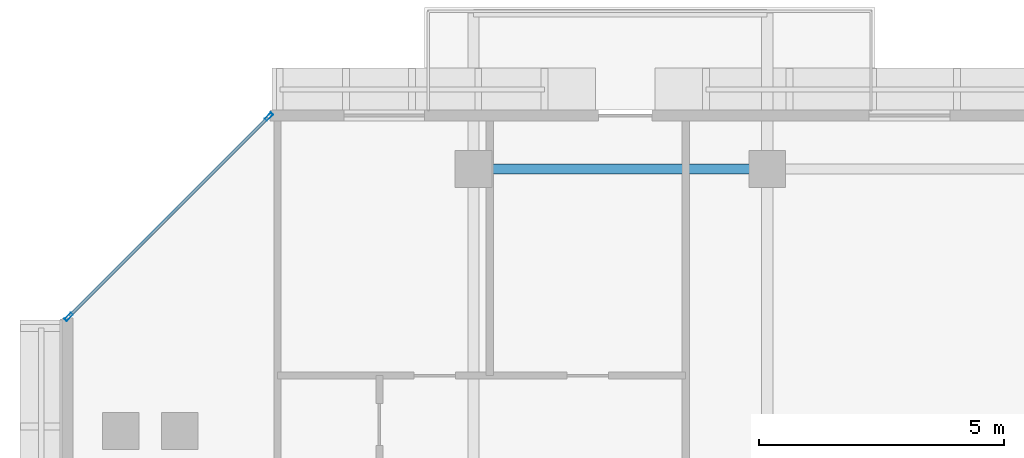
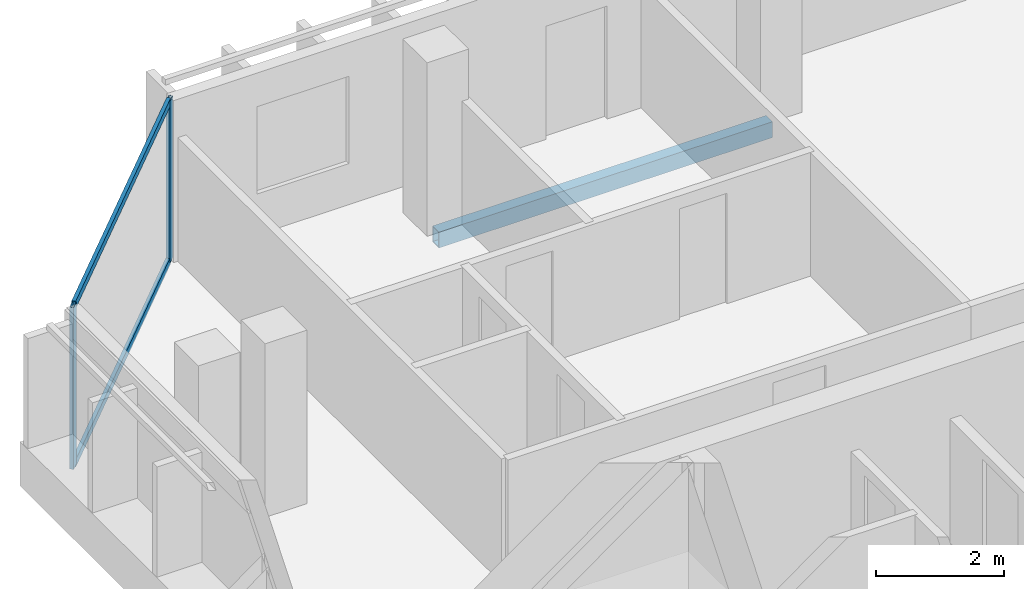
# One storey, part 6 of 25: 4 members, 1 beam, 1 element without a shape of its own.
"""IFC4 building model written with IfcOpenShell, lengths in metres."""

from ifc_helpers import new_model, si_unit, direction, frame, origin, origin_2d, place, context, subcontext, project, spatial, hollow_rectangle, extrude, material, layer, layer_set, material_profile, profile_set, type_object, element, aggregate, save


model = new_model("IFC4")

# Units and contexts
model_context = context("Model", 3, precision=1e-05, world=origin(), true_north=direction((0.0, 1.0)))
body_context = subcontext(model_context, "Body", "Model", "MODEL_VIEW")
ifc_project = project(units=[si_unit("LENGTHUNIT", "METRE"), si_unit("AREAUNIT", "SQUARE_METRE"), si_unit("VOLUMEUNIT", "CUBIC_METRE"), si_unit("PLANEANGLEUNIT", "RADIAN"), si_unit("MASSUNIT", "GRAM", prefix="KILO")], contexts=[model_context])

# Site, building, storey
site_placement = place(None, origin())
site = spatial("IfcSite", under=ifc_project, at=site_placement, CompositionType="ELEMENT")
building_placement = place(site_placement, origin())
building = spatial("IfcBuilding", under=site, at=building_placement, Name="Tanjung Sevakor Pilgrim Tower", CompositionType="ELEMENT")
storey_placement = place(building_placement, frame((0.0, 0.0, 204.929931640625)))
storey = spatial("IfcBuildingStorey", under=building, at=storey_placement, Name="L57", CompositionType="ELEMENT", Elevation=204.929931640625)

# Beam
ifc_material_1 = material(Name="Steel S355J2", Category="steel")
ifc_material_profile_1 = material_profile(ifc_material_1, hollow_rectangle(XDim=0.199951171875, YDim=0.300048828125, WallThickness=0.012451171875, at=origin_2d()))
ifc_profile_set_1 = profile_set([ifc_material_profile_1], Name="Steel S355J2")
beam_type = type_object("IfcBeamType", Name="BM-B-SP3-RHS_300x200x12.5", PredefinedType="SPANDREL", material=ifc_profile_set_1)
beam_placement = place(storey_placement, frame((30.0, 53.949951171875, -0.369873046875), z_axis=(1.0, 0.0, 0.0), x_axis=(0.0, 1.0, 0.0)))
element("IfcBeam", 1, at=beam_placement, inside=storey, type_object=beam_type, Name="L57 Spandrel MAIN N-02", PredefinedType="SPANDREL", context=body_context, shape_type="SweptSolid", body=[
    extrude(hollow_rectangle(XDim=0.199951171875, YDim=0.300048828125, WallThickness=0.012451171875, at=origin_2d()), origin(), (0.0, 0.0, 1.0), 6.0),
])

# Curtain wall, members
ifc_material_2 = material(Name="Aluminium 6063-T6 and Low-E Glass", Category="aluminium")
ifc_layer = layer(ifc_material_2, 0.179931640625)
ifc_layer_set = layer_set([ifc_layer], Name="CW-SYS-CHAM")
curtain_wall_type = type_object("IfcCurtainWallType", Name="CW-SYS-CHAM", PredefinedType="NOTDEFINED", material=ifc_layer_set)
curtain_wall_placement = place(storey_placement, origin())
curtain_wall = element("IfcCurtainWall", 2, at=curtain_wall_placement, inside=storey, type_object=curtain_wall_type, Name="L57 Curtain Wall CW-CHM-L57-MAIN-13", PredefinedType="NOTDEFINED")
ifc_material_3 = material(Name="Aluminium 6063-T6", Category="aluminium")
ifc_material_profile_2 = material_profile(ifc_material_3, hollow_rectangle(XDim=0.06494140625, YDim=0.179931640625, WallThickness=0.00390625, at=origin_2d()))
ifc_profile_set_2 = profile_set([ifc_material_profile_2], Name="Aluminium 6063-T6")
member_type_1 = type_object("IfcMemberType", Name="TYPE-CWM-1", PredefinedType="MULLION", material=ifc_profile_set_2)
member_1_placement = place(storey_placement, frame((25.822509765625, 55.01708984375, 0.0), z_axis=(0.0, 0.0, 1.0), x_axis=(0.707106781187, -0.707106781187, 0.0)))
member_1 = element("IfcMember", 3, at=member_1_placement, type_object=member_type_1, Name="CW-CHM mullion 1", PredefinedType="MULLION", context=body_context, shape_type="SweptSolid", body=[
    extrude(hollow_rectangle(XDim=0.06494140625, YDim=0.179931640625, WallThickness=0.00390625, at=origin_2d()), origin(), (0.0, 0.0, 1.0), 3.080078125),
])
member_2_placement = place(storey_placement, frame((21.73291015625, 50.927490234375, 0.0), z_axis=(0.0, 0.0, 1.0), x_axis=(0.707106781187, -0.707106781187, 0.0)))
member_2 = element("IfcMember", 4, at=member_2_placement, type_object=member_type_1, Name="CW-CHM mullion 2", PredefinedType="MULLION", context=body_context, shape_type="SweptSolid", body=[
    extrude(hollow_rectangle(XDim=0.06494140625, YDim=0.179931640625, WallThickness=0.00390625, at=origin_2d()), origin(), (0.0, 0.0, 1.0), 3.080078125),
])
ifc_material_4 = material(Name="Aluminium 6063-T6", Category="aluminium")
ifc_material_profile_3 = material_profile(ifc_material_4, hollow_rectangle(XDim=0.06494140625, YDim=0.139892578125, WallThickness=0.00390625, at=origin_2d()))
ifc_profile_set_3 = profile_set([ifc_material_profile_3], Name="Aluminium 6063-T6")
member_type_2 = type_object("IfcMemberType", Name="TYPE-CWT-1", PredefinedType="USERDEFINED", material=ifc_profile_set_3)
member_3_placement = place(storey_placement, frame((25.799560546875, 54.994140625, 0.032470703125), z_axis=(-0.707106781187, -0.707106781187, 0.0), x_axis=(0.707106781187, -0.707106781187, 0.0)))
member_3 = element("IfcMember", 5, at=member_3_placement, type_object=member_type_2, Name="CW-CHM transom 1.1", ObjectType="TRANSOM", PredefinedType="USERDEFINED", context=body_context, shape_type="SweptSolid", body=[
    extrude(hollow_rectangle(XDim=0.06494140625, YDim=0.139892578125, WallThickness=0.00390625, at=origin_2d()), origin(), (0.0, 0.0, 1.0), 5.71875),
])
member_4_placement = place(storey_placement, frame((25.799560546875, 54.994140625, 3.047607421875), z_axis=(-0.707106781187, -0.707106781187, 0.0), x_axis=(0.707106781187, -0.707106781187, 0.0)))
member_4 = element("IfcMember", 6, at=member_4_placement, type_object=member_type_2, Name="CW-CHM transom 1.2", ObjectType="TRANSOM", PredefinedType="USERDEFINED", context=body_context, shape_type="SweptSolid", body=[
    extrude(hollow_rectangle(XDim=0.06494140625, YDim=0.139892578125, WallThickness=0.00390625, at=origin_2d()), origin(), (0.0, 0.0, 1.0), 5.71875),
])
aggregate(curtain_wall, [member_1, member_2, member_3, member_4])

save(model, "model.ifc")
